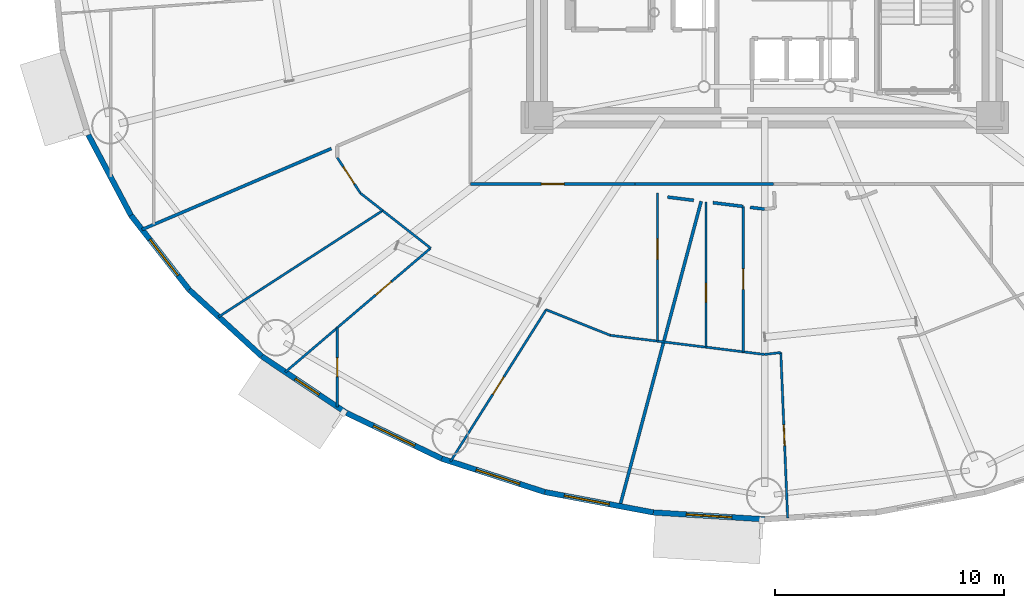
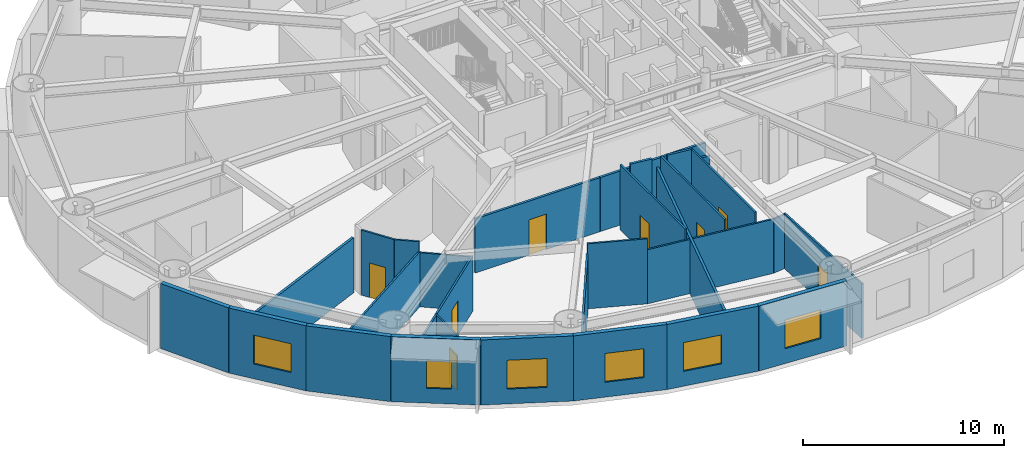
# One storey, part 10 of 24: 29 walls, 9 doors, 6 windows, 15 openings.
"""IFC4 building model written with IfcOpenShell, lengths in metres."""

from ifc_helpers import new_model, si_unit, direction, frame, frame_2d, origin, origin_2d, place, context, subcontext, project, spatial, rectangle, extrude, source, transform, mapped, material, layer, layer_set, type_object, element, fill, save


model = new_model("IFC4")

# Units and contexts
model_context = context("Model", 3, precision=1e-05, world=origin(), true_north=direction((0.0, 1.0)))
body_context = subcontext(model_context, "Body", "Model", "MODEL_VIEW")
ifc_project = project(units=[si_unit("LENGTHUNIT", "METRE"), si_unit("AREAUNIT", "SQUARE_METRE"), si_unit("VOLUMEUNIT", "CUBIC_METRE"), si_unit("PLANEANGLEUNIT", "RADIAN"), si_unit("MASSUNIT", "GRAM", prefix="KILO")], contexts=[model_context])

# Site, building, storey
site_placement = place(None, origin())
site = spatial("IfcSite", under=ifc_project, at=site_placement, CompositionType="ELEMENT")
building_placement = place(site_placement, origin())
building = spatial("IfcBuilding", under=site, at=building_placement, Name="Linh Dai School and Residence Tower", CompositionType="ELEMENT")
storey_placement = place(building_placement, frame((0.0, 0.0, 70.199951171875)))
storey = spatial("IfcBuildingStorey", under=building, at=storey_placement, Name="L16", CompositionType="ELEMENT", Elevation=70.199951171875)

# Wall
ifc_material_1 = material(Name="Precast Concrete B45 (C35/45)", Category="concrete")
ifc_layer_1 = layer(ifc_material_1, 0.239990234375)
ifc_layer_set_1 = layer_set([ifc_layer_1], Name="Precast Concrete B45 (C35/45)")
wall_type_1 = type_object("IfcWallType", Name="EW-TC-240", PredefinedType="SOLIDWALL", material=ifc_layer_set_1)
wall_1_placement = place(storey_placement, frame((8.305419921875, 15.977294921875, 0.0), z_axis=(0.0, 0.0, 1.0), x_axis=(-0.467662443071, 0.883907144072, 0.0)))
element("IfcWall", 1, at=wall_1_placement, inside=storey, type_object=wall_type_1, Name="L16 Terracotta Exterior Wall 23", PredefinedType="SOLIDWALL", context=body_context, shape_type="SweptSolid", body=[
    extrude(rectangle(XDim=3.983642578125, YDim=0.239990234375, at=frame_2d((1.99169921875, 0.0))), origin(), (0.0, 0.0, 1.0), 3.949951171875),
])

# Wall, opening, window
wall_2_placement = place(storey_placement, frame((10.850341796875, 12.725341796875, 0.0), z_axis=(0.0, 0.0, 1.0), x_axis=(-0.616295508253, 0.787514981767, 0.0)))
wall_2 = element("IfcWall", 2, at=wall_2_placement, inside=storey, type_object=wall_type_1, Name="L16 Terracotta Exterior Wall 24", PredefinedType="SOLIDWALL", context=body_context, shape_type="SweptSolid", body=[
    extrude(rectangle(XDim=4.12939453125, YDim=0.239990234375, at=frame_2d((2.064697265625, 0.0))), origin(), (0.0, 0.0, 1.0), 3.949951171875),
])
opening_1_placement = place(wall_2_placement, frame((0.794677734375, 0.0, 0.89990234375)))
opening_1 = element("IfcOpeningElement", 3, at=opening_1_placement, cuts=wall_2, Name="Opening W1", PredefinedType="OPENING", context=body_context, shape_type="SweptSolid", body=[
    extrude(rectangle(XDim=2.0, YDim=1.75, at=origin_2d()), frame((1.0, 0.1298828125, 0.875), z_axis=(0.0, -1.0, 0.0), x_axis=(1.0, 0.0, 0.0)), (0.0, 0.0, 1.0), 0.260009765625),
])
ifc_material_2 = material(Name="Double Low-E Insulated Glazing", Category="glass")
window_type_1 = type_object("IfcWindowType", Name="WN-RES-2000x1750", PartitioningType="DOUBLE_PANEL_VERTICAL", PredefinedType="WINDOW", material=ifc_material_2)
shared_shape_1 = source(origin(), body_context, "Body", "SweptSolid", [
    extrude(rectangle(XDim=2.0, YDim=1.75, at=origin_2d()), frame((1.0, 0.030029296875, 0.875), z_axis=(0.0, -1.0, 0.0), x_axis=(1.0, 0.0, 0.0)), (0.0, 0.0, 1.0), 0.06005859375),
])
window_1_placement = place(opening_1_placement, origin())
window_1 = element("IfcWindow", 4, at=window_1_placement, inside=storey, type_object=window_type_1, Name="L16 Exterior Window 24.1", OverallHeight=1.75, OverallWidth=2.0, PartitioningType="DOUBLE_PANEL_VERTICAL", PredefinedType="WINDOW", context=body_context, shape_type="MappedRepresentation", body=[
    mapped(shared_shape_1, transform((0.0, 0.0, 0.0), x_axis=(1.0, 0.0, 0.0), y_axis=(0.0, 1.0, 0.0), z_axis=(0.0, 0.0, 1.0), scale=1.0)),
])
fill(opening_1, window_1)

# Wall
wall_3_placement = place(storey_placement, frame((14.015380859375, 9.82373046875, 0.0), z_axis=(0.0, 0.0, 1.0), x_axis=(-0.737116376281, 0.67576582321, 0.0)))
element("IfcWall", 5, at=wall_3_placement, inside=storey, type_object=wall_type_1, Name="L16 Terracotta Exterior Wall 25", PredefinedType="SOLIDWALL", context=body_context, shape_type="SweptSolid", body=[
    extrude(rectangle(XDim=4.293701171875, YDim=0.239990234375, at=frame_2d((2.14697265625, 0.0))), origin(), (0.0, 0.0, 1.0), 3.949951171875),
])

# Wall, opening, window
wall_4_placement = place(storey_placement, frame((17.722900390625, 7.34423828125, 0.0), z_axis=(0.0, 0.0, 1.0), x_axis=(-0.831240982525, 0.555912249343, 0.0)))
wall_4 = element("IfcWall", 6, at=wall_4_placement, inside=storey, type_object=wall_type_1, Name="L16 Terracotta Exterior Wall 26", PredefinedType="SOLIDWALL", context=body_context, shape_type="SweptSolid", body=[
    extrude(rectangle(XDim=4.460205078125, YDim=0.239990234375, at=frame_2d((2.22998046875, 0.0))), origin(), (0.0, 0.0, 1.0), 3.949951171875),
])
opening_2_placement = place(wall_4_placement, frame((1.438720703125, 0.0, 0.89990234375)))
opening_2 = element("IfcOpeningElement", 7, at=opening_2_placement, cuts=wall_4, Name="Opening W3", PredefinedType="OPENING", context=body_context, shape_type="SweptSolid", body=[
    extrude(rectangle(XDim=1.25, YDim=1.64990234375, at=origin_2d()), frame((0.625, 0.1298828125, 0.824951171875), z_axis=(0.0, -1.0, 0.0), x_axis=(1.0, 0.0, 0.0)), (0.0, 0.0, 1.0), 0.260009765625),
])
window_type_2 = type_object("IfcWindowType", Name="WN-RES-1250x1650", PartitioningType="SINGLE_PANEL", PredefinedType="WINDOW", material=ifc_material_2)
shared_shape_2 = source(origin(), body_context, "Body", "SweptSolid", [
    extrude(rectangle(XDim=1.25, YDim=1.64990234375, at=origin_2d()), frame((0.625, 0.030029296875, 0.824951171875), z_axis=(0.0, -1.0, 0.0), x_axis=(1.0, 0.0, 0.0)), (0.0, 0.0, 1.0), 0.06005859375),
])
window_2_placement = place(opening_2_placement, origin())
window_2 = element("IfcWindow", 8, at=window_2_placement, inside=storey, type_object=window_type_2, Name="L16 Exterior Window 26.1", OverallHeight=1.64990234375, OverallWidth=1.25, PartitioningType="SINGLE_PANEL", PredefinedType="WINDOW", context=body_context, shape_type="MappedRepresentation", body=[
    mapped(shared_shape_2, transform((0.0, 0.0, 0.0), x_axis=(1.0, 0.0, 0.0), y_axis=(0.0, 1.0, 0.0), z_axis=(0.0, 0.0, 1.0), scale=1.0)),
])
fill(opening_2, window_2)

wall_5_placement = place(storey_placement, frame((21.8818359375, 5.348876953125, 0.0), z_axis=(0.0, 0.0, 1.0), x_axis=(-0.901601503137, 0.432567601123, 0.0)))
wall_5 = element("IfcWall", 9, at=wall_5_placement, inside=storey, type_object=wall_type_1, Name="L16 Terracotta Exterior Wall 27", PredefinedType="SOLIDWALL", context=body_context, shape_type="SweptSolid", body=[
    extrude(rectangle(XDim=4.61279296875, YDim=0.239990234375, at=frame_2d((2.306396484375, 0.0))), origin(), (0.0, 0.0, 1.0), 3.949951171875),
])
opening_3_placement = place(wall_5_placement, frame((1.306396484375, 0.0, 0.89990234375)))
opening_3 = element("IfcOpeningElement", 10, at=opening_3_placement, cuts=wall_5, Name="Opening W1", PredefinedType="OPENING", context=body_context, shape_type="SweptSolid", body=[
    extrude(rectangle(XDim=2.0, YDim=1.75, at=origin_2d()), frame((1.0, 0.1298828125, 0.875), z_axis=(0.0, -1.0, 0.0), x_axis=(1.0, 0.0, 0.0)), (0.0, 0.0, 1.0), 0.260009765625),
])
window_3_placement = place(opening_3_placement, origin())
window_3 = element("IfcWindow", 11, at=window_3_placement, inside=storey, type_object=window_type_1, Name="L16 Exterior Window 27.1", OverallHeight=1.75, OverallWidth=2.0, PartitioningType="DOUBLE_PANEL_VERTICAL", PredefinedType="WINDOW", context=body_context, shape_type="MappedRepresentation", body=[
    mapped(shared_shape_1, transform((0.0, 0.0, 0.0), x_axis=(1.0, 0.0, 0.0), y_axis=(0.0, 1.0, 0.0), z_axis=(0.0, 0.0, 1.0), scale=1.0)),
])
fill(opening_3, window_3)

wall_6_placement = place(storey_placement, frame((26.389404296875, 3.88671875, 0.0), z_axis=(0.0, 0.0, 1.0), x_axis=(-0.951207699013, 0.308551313946, 0.0)))
wall_6 = element("IfcWall", 12, at=wall_6_placement, inside=storey, type_object=wall_type_1, Name="L16 Terracotta Exterior Wall 28", PredefinedType="SOLIDWALL", context=body_context, shape_type="SweptSolid", body=[
    extrude(rectangle(XDim=4.73876953125, YDim=0.239990234375, at=frame_2d((2.369384765625, 0.0))), origin(), (0.0, 0.0, 1.0), 3.949951171875),
])
opening_4_placement = place(wall_6_placement, frame((1.154541015625, 0.0, 0.89990234375)))
opening_4 = element("IfcOpeningElement", 13, at=opening_4_placement, cuts=wall_6, Name="Opening W1", PredefinedType="OPENING", context=body_context, shape_type="SweptSolid", body=[
    extrude(rectangle(XDim=2.0, YDim=1.75, at=origin_2d()), frame((1.0, 0.1298828125, 0.875), z_axis=(0.0, -1.0, 0.0), x_axis=(1.0, 0.0, 0.0)), (0.0, 0.0, 1.0), 0.260009765625),
])
window_4_placement = place(opening_4_placement, origin())
window_4 = element("IfcWindow", 14, at=window_4_placement, inside=storey, type_object=window_type_1, Name="L16 Exterior Window 28.1", OverallHeight=1.75, OverallWidth=2.0, PartitioningType="DOUBLE_PANEL_VERTICAL", PredefinedType="WINDOW", context=body_context, shape_type="MappedRepresentation", body=[
    mapped(shared_shape_1, transform((0.0, 0.0, 0.0), x_axis=(1.0, 0.0, 0.0), y_axis=(0.0, 1.0, 0.0), z_axis=(0.0, 0.0, 1.0), scale=1.0)),
])
fill(opening_4, window_4)

wall_7_placement = place(storey_placement, frame((31.134521484375, 2.994873046875, 0.0), z_axis=(0.0, 0.0, 1.0), x_axis=(-0.982791952378, 0.184715939598, 0.0)))
wall_7 = element("IfcWall", 15, at=wall_7_placement, inside=storey, type_object=wall_type_1, Name="L16 Terracotta Exterior Wall 29", PredefinedType="SOLIDWALL", context=body_context, shape_type="SweptSolid", body=[
    extrude(rectangle(XDim=4.828125, YDim=0.239990234375, at=frame_2d((2.4140625, 0.0))), origin(), (0.0, 0.0, 1.0), 3.949951171875),
])
opening_5_placement = place(wall_7_placement, frame((1.960205078125, 0.0, 0.89990234375)))
opening_5 = element("IfcOpeningElement", 16, at=opening_5_placement, cuts=wall_7, Name="Opening W1", PredefinedType="OPENING", context=body_context, shape_type="SweptSolid", body=[
    extrude(rectangle(XDim=2.0, YDim=1.75, at=origin_2d()), frame((1.0, 0.1298828125, 0.875), z_axis=(0.0, -1.0, 0.0), x_axis=(1.0, 0.0, 0.0)), (0.0, 0.0, 1.0), 0.260009765625),
])
window_5_placement = place(opening_5_placement, origin())
window_5 = element("IfcWindow", 17, at=window_5_placement, inside=storey, type_object=window_type_1, Name="L16 Exterior Window 29.1", OverallHeight=1.75, OverallWidth=2.0, PartitioningType="DOUBLE_PANEL_VERTICAL", PredefinedType="WINDOW", context=body_context, shape_type="MappedRepresentation", body=[
    mapped(shared_shape_1, transform((0.0, 0.0, 0.0), x_axis=(1.0, 0.0, 0.0), y_axis=(0.0, 1.0, 0.0), z_axis=(0.0, 0.0, 1.0), scale=1.0)),
])
fill(opening_5, window_5)

wall_8_placement = place(storey_placement, frame((36.0, 2.695068359375, 0.0), z_axis=(0.0, 0.0, 1.0), x_axis=(-0.998106954071, 0.061502099433, 0.0)))
wall_8 = element("IfcWall", 18, at=wall_8_placement, inside=storey, type_object=wall_type_1, Name="L16 Terracotta Exterior Wall 30", PredefinedType="SOLIDWALL", context=body_context, shape_type="SweptSolid", body=[
    extrude(rectangle(XDim=4.874755859375, YDim=0.239990234375, at=frame_2d((2.4375, 0.0))), origin(), (0.0, 0.0, 1.0), 3.949951171875),
])
opening_6_placement = place(wall_8_placement, frame((1.437255859375, 0.0, 0.89990234375)))
opening_6 = element("IfcOpeningElement", 19, at=opening_6_placement, cuts=wall_8, Name="Opening W1", PredefinedType="OPENING", context=body_context, shape_type="SweptSolid", body=[
    extrude(rectangle(XDim=2.0, YDim=1.75, at=origin_2d()), frame((1.0, 0.1298828125, 0.875), z_axis=(0.0, -1.0, 0.0), x_axis=(1.0, 0.0, 0.0)), (0.0, 0.0, 1.0), 0.260009765625),
])
window_6_placement = place(opening_6_placement, origin())
window_6 = element("IfcWindow", 20, at=window_6_placement, inside=storey, type_object=window_type_1, Name="L16 Exterior Window 30.1", OverallHeight=1.75, OverallWidth=2.0, PartitioningType="DOUBLE_PANEL_VERTICAL", PredefinedType="WINDOW", context=body_context, shape_type="MappedRepresentation", body=[
    mapped(shared_shape_1, transform((0.0, 0.0, 0.0), x_axis=(1.0, 0.0, 0.0), y_axis=(0.0, 1.0, 0.0), z_axis=(0.0, 0.0, 1.0), scale=1.0)),
])
fill(opening_6, window_6)

# Wall
ifc_material_3 = material(Name="Autoclaved Aerated Concrete Blockwork", Category="masonry")
ifc_layer_2 = layer(ifc_material_3, 0.135009765625)
ifc_layer_set_2 = layer_set([ifc_layer_2], Name="Autoclaved Aerated Concrete Blockwork")
wall_type_2 = type_object("IfcWallType", Name="IW-CORR-135-EI90", PredefinedType="PARTITIONING", material=ifc_layer_set_2)
wall_9_placement = place(storey_placement, frame((8.785400390625, 15.355712890625, 0.0), z_axis=(0.0, 0.0, 1.0), x_axis=(0.919377695517, 0.393375968998, 0.0)))
element("IfcWall", 21, at=wall_9_placement, inside=storey, type_object=wall_type_2, Name="L16 Interior Partition Wall 006", PredefinedType="PARTITIONING", context=body_context, shape_type="SweptSolid", body=[
    extrude(rectangle(XDim=9.00341796875, YDim=0.135009765625, at=frame_2d((4.501708984375, 0.0))), origin(), (0.0, 0.0, 1.0), 3.3349609375),
])

# Wall, opening, door
wall_10_placement = place(storey_placement, frame((23.14990234375, 17.35009765625, 0.0), z_axis=(0.0, 0.0, 1.0), x_axis=(1.0, 0.0, 0.0)))
wall_10 = element("IfcWall", 22, at=wall_10_placement, inside=storey, type_object=wall_type_2, Name="L16 Interior Partition Wall 023", PredefinedType="PARTITIONING", context=body_context, shape_type="SweptSolid", body=[
    extrude(rectangle(XDim=7.17138671875, YDim=0.135009765625, at=frame_2d((3.585693359375, 0.0))), origin(), (0.0, 0.0, 1.0), 3.28515625),
])
opening_7_placement = place(wall_10_placement, frame((3.085693359375, 0.0, 0.0)))
opening_7 = element("IfcOpeningElement", 23, at=opening_7_placement, cuts=wall_10, Name="Opening D03", PredefinedType="OPENING", context=body_context, shape_type="SweptSolid", body=[
    extrude(rectangle(XDim=1.0, YDim=2.14990234375, at=origin_2d()), frame((0.5, 0.07763671875, 1.074951171875), z_axis=(0.0, -1.0, 0.0), x_axis=(1.0, 0.0, 0.0)), (0.0, 0.0, 1.0), 0.155029296875),
])
ifc_material_4 = material(Name="Fire-Rated Solid Timber Entrance Door", Category="wood")
door_type_1 = type_object("IfcDoorType", Name="DR-FLAT-1000x2150-FD60S", OperationType="NOTDEFINED", PredefinedType="DOOR", material=ifc_material_4)
shared_shape_3 = source(origin(), body_context, "Body", "SweptSolid", [
    extrude(rectangle(XDim=1.0, YDim=2.14990234375, at=origin_2d()), frame((0.5, 0.02490234375, 1.074951171875), z_axis=(0.0, -1.0, 0.0), x_axis=(1.0, 0.0, 0.0)), (0.0, 0.0, 1.0), 0.050048828125),
])
door_1_placement = place(opening_7_placement, origin())
door_1 = element("IfcDoor", 24, at=door_1_placement, inside=storey, type_object=door_type_1, Name="L16 U1604 Apartment Entrance Door", OperationType="SINGLE_SWING_LEFT", OverallHeight=2.14990234375, OverallWidth=1.0, PredefinedType="DOOR", context=body_context, shape_type="MappedRepresentation", body=[
    mapped(shared_shape_3, transform((0.0, 0.0, 0.0), x_axis=(1.0, 0.0, 0.0), y_axis=(0.0, 1.0, 0.0), z_axis=(0.0, 0.0, 1.0), scale=1.0)),
])
fill(opening_7, door_1)

# Walls
wall_11_placement = place(storey_placement, frame((29.66943359375, 3.26513671875, 0.0), z_axis=(0.0, 0.0, 1.0), x_axis=(0.257716621334, 0.96622054578, 0.0)))
element("IfcWall", 25, at=wall_11_placement, inside=storey, type_object=wall_type_2, Name="L16 Interior Partition Wall 033", PredefinedType="PARTITIONING", context=body_context, shape_type="SweptSolid", body=[
    extrude(rectangle(XDim=13.7958984375, YDim=0.135009765625, at=frame_2d((6.89794921875, 0.0))), origin(), (0.0, 0.0, 1.0), 3.3349609375),
])
wall_12_placement = place(storey_placement, frame((36.388671875, 17.35009765625, 0.0), z_axis=(0.0, 0.0, 1.0), x_axis=(-1.0, 0.0, 0.0)))
element("IfcWall", 26, at=wall_12_placement, inside=storey, type_object=wall_type_2, Name="L16 Interior Partition Wall 123", PredefinedType="PARTITIONING", context=body_context, shape_type="SweptSolid", body=[
    extrude(rectangle(XDim=6.057373046875, YDim=0.135009765625, at=frame_2d((3.02880859375, 0.0))), origin(), (0.0, 0.0, 1.0), 3.28515625),
])
wall_13_placement = place(storey_placement, frame((31.7578125, 16.77685546875, 0.0), z_axis=(0.0, 0.0, 1.0), x_axis=(0.992411483091, -0.122961165536, 0.0)))
element("IfcWall", 27, at=wall_13_placement, inside=storey, type_object=wall_type_2, Name="L16 Interior Partition Wall 142", PredefinedType="PARTITIONING", context=body_context, shape_type="SweptSolid", body=[
    extrude(rectangle(XDim=1.147705078125, YDim=0.135009765625, at=frame_2d((0.57373046875, 0.0))), origin(), (0.0, 0.0, 1.0), 3.949951171875),
])
wall_14_placement = place(storey_placement, frame((35.366455078125, 16.329345703125, 0.0), z_axis=(0.0, 0.0, 1.0), x_axis=(0.992389259093, -0.123140401321, 0.0)))
element("IfcWall", 28, at=wall_14_placement, inside=storey, type_object=wall_type_2, Name="L16 Interior Partition Wall 143", PredefinedType="PARTITIONING", context=body_context, shape_type="SweptSolid", body=[
    extrude(rectangle(XDim=0.638427734375, YDim=0.135009765625, at=frame_2d((0.3193359375, 0.0))), origin(), (0.0, 0.0, 1.0), 3.28515625),
])
wall_15_placement = place(storey_placement, frame((33.741455078125, 16.531005859375, 0.0), z_axis=(0.0, 0.0, 1.0), x_axis=(0.99239647656, -0.123082221749, 0.0)))
element("IfcWall", 29, at=wall_15_placement, inside=storey, type_object=wall_type_2, Name="L16 Interior Partition Wall 149", PredefinedType="PARTITIONING", context=body_context, shape_type="SweptSolid", body=[
    extrude(rectangle(XDim=1.324951171875, YDim=0.135009765625, at=frame_2d((0.66259765625, 0.0))), origin(), (0.0, 0.0, 1.0), 3.949951171875),
])
ifc_material_5 = material(Name="Gypsum Plasterboard Acoustic Stud Partition", Category="masonry")
ifc_layer_3 = layer(ifc_material_5, 0.10009765625)
ifc_layer_set_3 = layer_set([ifc_layer_3], Name="Gypsum Plasterboard Acoustic Stud Partition")
wall_type_3 = type_object("IfcWallType", Name="IW-UNIT-100", PredefinedType="PARTITIONING", material=ifc_layer_set_3)
wall_16_placement = place(storey_placement, frame((12.13330078125, 11.54248046875, 0.0), z_axis=(0.0, 0.0, 1.0), x_axis=(0.839345439493, 0.5435984117, 0.0)))
element("IfcWall", 30, at=wall_16_placement, inside=storey, type_object=wall_type_3, Name="L16 Interior Partition Wall 009", PredefinedType="PARTITIONING", context=body_context, shape_type="SweptSolid", body=[
    extrude(rectangle(XDim=8.543212890625, YDim=0.10009765625, at=frame_2d((4.271484375, 0.0))), origin(), (0.0, 0.0, 1.0), 3.3349609375),
])

# Wall, opening, door
wall_17_placement = place(storey_placement, frame((15.0478515625, 9.12744140625, 0.0), z_axis=(0.0, 0.0, 1.0), x_axis=(0.760804650013, 0.648980958517, 0.0)))
wall_17 = element("IfcWall", 31, at=wall_17_placement, inside=storey, type_object=wall_type_3, Name="L16 Interior Partition Wall 012", PredefinedType="PARTITIONING", context=body_context, shape_type="SweptSolid", body=[
    extrude(rectangle(XDim=8.348876953125, YDim=0.10009765625, at=frame_2d((4.17431640625, 0.0))), origin(), (0.0, 0.0, 1.0), 3.3349609375),
])
opening_8_placement = place(wall_17_placement, frame((5.197265625, 0.0, 0.0)))
opening_8 = element("IfcOpeningElement", 32, at=opening_8_placement, cuts=wall_17, Name="Opening D05", PredefinedType="OPENING", context=body_context, shape_type="SweptSolid", body=[
    extrude(rectangle(XDim=0.89990234375, YDim=2.10009765625, at=origin_2d()), frame((0.449951171875, 0.06005859375, 1.050048828125), z_axis=(0.0, -1.0, 0.0), x_axis=(1.0, 0.0, 0.0)), (0.0, 0.0, 1.0), 0.1201171875),
])
ifc_material_6 = material(Name="Engineered Timber Internal Door", Category="wood")
door_type_2 = type_object("IfcDoorType", Name="DR-INT-900x2100", OperationType="NOTDEFINED", PredefinedType="DOOR", material=ifc_material_6)
shared_shape_4 = source(origin(), body_context, "Body", "SweptSolid", [
    extrude(rectangle(XDim=0.89990234375, YDim=2.10009765625, at=origin_2d()), frame((0.449951171875, 0.02490234375, 1.050048828125), z_axis=(0.0, -1.0, 0.0), x_axis=(1.0, 0.0, 0.0)), (0.0, 0.0, 1.0), 0.050048828125),
])
door_2_placement = place(opening_8_placement, origin())
door_2 = element("IfcDoor", 33, at=door_2_placement, inside=storey, type_object=door_type_2, Name="L16 Apartment U1604 Study Door", OperationType="SINGLE_SWING_LEFT", OverallHeight=2.10009765625, OverallWidth=0.89990234375, PredefinedType="DOOR", context=body_context, shape_type="MappedRepresentation", body=[
    mapped(shared_shape_4, transform((0.0, 0.0, 0.0), x_axis=(1.0, 0.0, 0.0), y_axis=(0.0, 1.0, 0.0), z_axis=(0.0, 0.0, 1.0), scale=1.0)),
])
fill(opening_8, door_2)

wall_18_placement = place(storey_placement, frame((17.3193359375, 7.6083984375, 0.0), z_axis=(0.0, 0.0, 1.0), x_axis=(0.0, 1.0, 0.0)))
wall_18 = element("IfcWall", 34, at=wall_18_placement, inside=storey, type_object=wall_type_3, Name="L16 Interior Partition Wall 014", PredefinedType="PARTITIONING", context=body_context, shape_type="SweptSolid", body=[
    extrude(rectangle(XDim=3.45654296875, YDim=0.10009765625, at=frame_2d((1.728271484375, 0.0))), origin(), (0.0, 0.0, 1.0), 3.3349609375),
])
opening_9_placement = place(wall_18_placement, frame((1.318359375, 0.0, 0.0)))
opening_9 = element("IfcOpeningElement", 35, at=opening_9_placement, cuts=wall_18, Name="Opening D06", PredefinedType="OPENING", context=body_context, shape_type="SweptSolid", body=[
    extrude(rectangle(XDim=0.820068359375, YDim=2.10009765625, at=origin_2d()), frame((0.41015625, 0.06005859375, 1.050048828125), z_axis=(0.0, -1.0, 0.0), x_axis=(1.0, 0.0, 0.0)), (0.0, 0.0, 1.0), 0.1201171875),
])
ifc_material_7 = material(Name="Moisture-Resistant Timber Bathroom Door", Category="wood")
door_type_3 = type_object("IfcDoorType", Name="DR-WET-820x2100", OperationType="NOTDEFINED", PredefinedType="DOOR", material=ifc_material_7)
shared_shape_5 = source(origin(), body_context, "Body", "SweptSolid", [
    extrude(rectangle(XDim=0.820068359375, YDim=2.10009765625, at=origin_2d()), frame((0.41015625, 0.02490234375, 1.050048828125), z_axis=(0.0, -1.0, 0.0), x_axis=(1.0, 0.0, 0.0)), (0.0, 0.0, 1.0), 0.050048828125),
])
door_3_placement = place(opening_9_placement, origin())
door_3 = element("IfcDoor", 36, at=door_3_placement, inside=storey, type_object=door_type_3, Name="L16 Apartment U1604 Bathroom 1 Door", OperationType="SINGLE_SWING_LEFT", OverallHeight=2.10009765625, OverallWidth=0.820068359375, PredefinedType="DOOR", context=body_context, shape_type="MappedRepresentation", body=[
    mapped(shared_shape_5, transform((0.0, 0.0, 0.0), x_axis=(1.0, 0.0, 0.0), y_axis=(0.0, 1.0, 0.0), z_axis=(0.0, 0.0, 1.0), scale=1.0)),
])
fill(opening_9, door_3)

wall_19_placement = place(storey_placement, frame((17.3193359375, 18.503173828125, 0.0), z_axis=(0.0, 0.0, 1.0), x_axis=(0.54537223853, -0.838193964092, 0.0)))
wall_19 = element("IfcWall", 37, at=wall_19_placement, inside=storey, type_object=wall_type_3, Name="L16 Interior Partition Wall 015", PredefinedType="PARTITIONING", context=body_context, shape_type="SweptSolid", body=[
    extrude(rectangle(XDim=1.85498046875, YDim=0.10009765625, at=frame_2d((0.927490234375, 0.0))), origin(), (0.0, 0.0, 1.0), 3.949951171875),
])
opening_10_placement = place(wall_19_placement, frame((0.4775390625, 0.0, 0.0)))
opening_10 = element("IfcOpeningElement", 38, at=opening_10_placement, cuts=wall_19, Name="Opening D05", PredefinedType="OPENING", context=body_context, shape_type="SweptSolid", body=[
    extrude(rectangle(XDim=0.89990234375, YDim=2.10009765625, at=origin_2d()), frame((0.449951171875, 0.06005859375, 1.050048828125), z_axis=(0.0, -1.0, 0.0), x_axis=(1.0, 0.0, 0.0)), (0.0, 0.0, 1.0), 0.1201171875),
])
door_4_placement = place(opening_10_placement, origin())
door_4 = element("IfcDoor", 39, at=door_4_placement, inside=storey, type_object=door_type_2, Name="L16 Apartment U1604 Principal Bedroom 1 Door", OperationType="SINGLE_SWING_RIGHT", OverallHeight=2.10009765625, OverallWidth=0.89990234375, PredefinedType="DOOR", context=body_context, shape_type="MappedRepresentation", body=[
    mapped(shared_shape_4, transform((0.0, 0.0, 0.0), x_axis=(1.0, 0.0, 0.0), y_axis=(0.0, 1.0, 0.0), z_axis=(0.0, 0.0, 1.0), scale=1.0)),
])
fill(opening_10, door_4)

# Walls
wall_20_placement = place(storey_placement, frame((18.3310546875, 16.9482421875, 0.0), z_axis=(0.0, 0.0, 1.0), x_axis=(0.787379901086, -0.61646807814, 0.0)))
element("IfcWall", 40, at=wall_20_placement, inside=storey, type_object=wall_type_3, Name="L16 Interior Partition Wall 017", PredefinedType="PARTITIONING", context=body_context, shape_type="SweptSolid", body=[
    extrude(rectangle(XDim=1.235595703125, YDim=0.10009765625, at=frame_2d((0.61767578125, 0.0))), origin(), (0.0, 0.0, 1.0), 3.949951171875),
])
wall_21_placement = place(storey_placement, frame((19.311767578125, 16.180419921875, 0.0), z_axis=(0.0, 0.0, 1.0), x_axis=(0.787365097885, -0.616486984967, 0.0)))
element("IfcWall", 41, at=wall_21_placement, inside=storey, type_object=wall_type_3, Name="L16 Interior Partition Wall 020", PredefinedType="PARTITIONING", context=body_context, shape_type="SweptSolid", body=[
    extrude(rectangle(XDim=2.65185546875, YDim=0.10009765625, at=frame_2d((1.325927734375, 0.0))), origin(), (0.0, 0.0, 1.0), 3.28515625),
])

# Wall, opening, door
wall_22_placement = place(storey_placement, frame((22.265380859375, 5.21923828125, 0.0), z_axis=(0.0, 0.0, 1.0), x_axis=(0.53341083449, 0.845856300827, 0.0)))
wall_22 = element("IfcWall", 42, at=wall_22_placement, inside=storey, type_object=wall_type_3, Name="L16 Interior Partition Wall 021", PredefinedType="PARTITIONING", context=body_context, shape_type="SweptSolid", body=[
    extrude(rectangle(XDim=7.843505859375, YDim=0.10009765625, at=frame_2d((3.921875, 0.0))), origin(), (0.0, 0.0, 1.0), 3.3349609375),
])
opening_11_placement = place(wall_22_placement, frame((3.4716796875, 0.0, 0.0)))
opening_11 = element("IfcOpeningElement", 43, at=opening_11_placement, cuts=wall_22, Name="Opening D05", PredefinedType="OPENING", context=body_context, shape_type="SweptSolid", body=[
    extrude(rectangle(XDim=0.89990234375, YDim=2.10009765625, at=origin_2d()), frame((0.449951171875, 0.06005859375, 1.050048828125), z_axis=(0.0, -1.0, 0.0), x_axis=(1.0, 0.0, 0.0)), (0.0, 0.0, 1.0), 0.1201171875),
])
door_5_placement = place(opening_11_placement, origin())
door_5 = element("IfcDoor", 44, at=door_5_placement, inside=storey, type_object=door_type_2, Name="L16 Apartment U1604 Principal Bedroom 2 Door", OperationType="SINGLE_SWING_RIGHT", OverallHeight=2.10009765625, OverallWidth=0.89990234375, PredefinedType="DOOR", context=body_context, shape_type="MappedRepresentation", body=[
    mapped(shared_shape_4, transform((0.0, 0.0, 0.0), x_axis=(1.0, 0.0, 0.0), y_axis=(0.0, 1.0, 0.0), z_axis=(0.0, 0.0, 1.0), scale=1.0)),
])
fill(opening_11, door_5)

# Walls
wall_23_placement = place(storey_placement, frame((26.44921875, 11.853759765625, 0.0), z_axis=(0.0, 0.0, 1.0), x_axis=(0.928822359266, -0.370525336417, 0.0)))
element("IfcWall", 45, at=wall_23_placement, inside=storey, type_object=wall_type_3, Name="L16 Interior Partition Wall 028", PredefinedType="PARTITIONING", context=body_context, shape_type="SweptSolid", body=[
    extrude(rectangle(XDim=3.016357421875, YDim=0.10009765625, at=frame_2d((1.50830078125, 0.0))), origin(), (0.0, 0.0, 1.0), 3.949951171875),
])
wall_24_placement = place(storey_placement, frame((29.2509765625, 10.736083984375, 0.0), z_axis=(0.0, 0.0, 1.0), x_axis=(0.992394520877, -0.123097989151, 0.0)))
element("IfcWall", 46, at=wall_24_placement, inside=storey, type_object=wall_type_3, Name="L16 Interior Partition Wall 031", PredefinedType="PARTITIONING", context=body_context, shape_type="SweptSolid", body=[
    extrude(rectangle(XDim=6.80078125, YDim=0.10009765625, at=frame_2d((3.400390625, 0.0))), origin(), (0.0, 0.0, 1.0), 3.28515625),
])

# Wall, opening, door
wall_25_placement = place(storey_placement, frame((31.316162109375, 10.47998046875, 0.0), z_axis=(0.0, 0.0, 1.0), x_axis=(0.0, 1.0, 0.0)))
wall_25 = element("IfcWall", 47, at=wall_25_placement, inside=storey, type_object=wall_type_3, Name="L16 Interior Partition Wall 035", PredefinedType="PARTITIONING", context=body_context, shape_type="SweptSolid", body=[
    extrude(rectangle(XDim=6.47314453125, YDim=0.10009765625, at=frame_2d((3.236572265625, 0.0))), origin(), (0.0, 0.0, 1.0), 3.949951171875),
])
opening_12_placement = place(wall_25_placement, frame((3.586669921875, 0.0, 0.0)))
opening_12 = element("IfcOpeningElement", 48, at=opening_12_placement, cuts=wall_25, Name="Opening D05", PredefinedType="OPENING", context=body_context, shape_type="SweptSolid", body=[
    extrude(rectangle(XDim=0.89990234375, YDim=2.10009765625, at=origin_2d()), frame((0.449951171875, 0.06005859375, 1.050048828125), z_axis=(0.0, -1.0, 0.0), x_axis=(1.0, 0.0, 0.0)), (0.0, 0.0, 1.0), 0.1201171875),
])
door_6_placement = place(opening_12_placement, origin())
door_6 = element("IfcDoor", 49, at=door_6_placement, inside=storey, type_object=door_type_2, Name="L16 Apartment U1604 Kitchen Door", OperationType="SINGLE_SWING_RIGHT", OverallHeight=2.10009765625, OverallWidth=0.89990234375, PredefinedType="DOOR", context=body_context, shape_type="MappedRepresentation", body=[
    mapped(shared_shape_4, transform((0.0, 0.0, 0.0), x_axis=(1.0, 0.0, 0.0), y_axis=(0.0, 1.0, 0.0), z_axis=(0.0, 0.0, 1.0), scale=1.0)),
])
fill(opening_12, door_6)

wall_26_placement = place(storey_placement, frame((33.431396484375, 10.217529296875, 0.0), z_axis=(0.0, 0.0, 1.0), x_axis=(0.0, 1.0, 0.0)))
wall_26 = element("IfcWall", 50, at=wall_26_placement, inside=storey, type_object=wall_type_3, Name="L16 Interior Partition Wall 043", PredefinedType="PARTITIONING", context=body_context, shape_type="SweptSolid", body=[
    extrude(rectangle(XDim=6.351806640625, YDim=0.10009765625, at=frame_2d((3.17578125, 0.0))), origin(), (0.0, 0.0, 1.0), 3.949951171875),
])
opening_13_placement = place(wall_26_placement, frame((1.97216796875, 0.0, 0.0)))
opening_13 = element("IfcOpeningElement", 51, at=opening_13_placement, cuts=wall_26, Name="Opening D06", PredefinedType="OPENING", context=body_context, shape_type="SweptSolid", body=[
    extrude(rectangle(XDim=0.820068359375, YDim=2.10009765625, at=origin_2d()), frame((0.41015625, 0.06005859375, 1.050048828125), z_axis=(0.0, -1.0, 0.0), x_axis=(1.0, 0.0, 0.0)), (0.0, 0.0, 1.0), 0.1201171875),
])
door_7_placement = place(opening_13_placement, origin())
door_7 = element("IfcDoor", 52, at=door_7_placement, inside=storey, type_object=door_type_3, Name="L16 Apartment U1605 Bathroom 1 Door", OperationType="SINGLE_SWING_LEFT", OverallHeight=2.10009765625, OverallWidth=0.820068359375, PredefinedType="DOOR", context=body_context, shape_type="MappedRepresentation", body=[
    mapped(shared_shape_5, transform((0.0, 0.0, 0.0), x_axis=(1.0, 0.0, 0.0), y_axis=(0.0, 1.0, 0.0), z_axis=(0.0, 0.0, 1.0), scale=1.0)),
])
fill(opening_13, door_7)

wall_27_placement = place(storey_placement, frame((35.056396484375, 10.01611328125, 0.0), z_axis=(0.0, 0.0, 1.0), x_axis=(0.0, 1.0, 0.0)))
wall_27 = element("IfcWall", 53, at=wall_27_placement, inside=storey, type_object=wall_type_3, Name="L16 Interior Partition Wall 053", PredefinedType="PARTITIONING", context=body_context, shape_type="SweptSolid", body=[
    extrude(rectangle(XDim=6.351806640625, YDim=0.10009765625, at=frame_2d((3.17578125, 0.0))), origin(), (0.0, 0.0, 1.0), 3.949951171875),
])
opening_14_placement = place(wall_27_placement, frame((2.725830078125, 0.0, 0.0)))
opening_14 = element("IfcOpeningElement", 54, at=opening_14_placement, cuts=wall_27, Name="Opening D05", PredefinedType="OPENING", context=body_context, shape_type="SweptSolid", body=[
    extrude(rectangle(XDim=0.89990234375, YDim=2.10009765625, at=origin_2d()), frame((0.449951171875, 0.06005859375, 1.050048828125), z_axis=(0.0, -1.0, 0.0), x_axis=(1.0, 0.0, 0.0)), (0.0, 0.0, 1.0), 0.1201171875),
])
door_8_placement = place(opening_14_placement, origin())
door_8 = element("IfcDoor", 55, at=door_8_placement, inside=storey, type_object=door_type_2, Name="L16 Apartment U1605 Kitchen Door", OperationType="SINGLE_SWING_RIGHT", OverallHeight=2.10009765625, OverallWidth=0.89990234375, PredefinedType="DOOR", context=body_context, shape_type="MappedRepresentation", body=[
    mapped(shared_shape_4, transform((0.0, 0.0, 0.0), x_axis=(1.0, 0.0, 0.0), y_axis=(0.0, 1.0, 0.0), z_axis=(0.0, 0.0, 1.0), scale=1.0)),
])
fill(opening_14, door_8)

# Wall
wall_28_placement = place(storey_placement, frame((36.0, 9.89892578125, 0.0), z_axis=(0.0, 0.0, 1.0), x_axis=(0.992404586029, 0.123016818477, 0.0)))
element("IfcWall", 56, at=wall_28_placement, inside=storey, type_object=wall_type_3, Name="L16 Interior Partition Wall 060", PredefinedType="PARTITIONING", context=body_context, shape_type="SweptSolid", body=[
    extrude(rectangle(XDim=0.70849609375, YDim=0.10009765625, at=frame_2d((0.354248046875, 0.0))), origin(), (0.0, 0.0, 1.0), 3.28515625),
])

# Wall, opening, door
wall_29_placement = place(storey_placement, frame((36.703125, 9.986083984375, 0.0), z_axis=(0.0, 0.0, 1.0), x_axis=(0.041271500864, -0.999147968629, 0.0)))
wall_29 = element("IfcWall", 57, at=wall_29_placement, inside=storey, type_object=wall_type_3, Name="L16 Interior Partition Wall 063", PredefinedType="PARTITIONING", context=body_context, shape_type="SweptSolid", body=[
    extrude(rectangle(XDim=7.240478515625, YDim=0.10009765625, at=frame_2d((3.6201171875, 0.0))), origin(), (0.0, 0.0, 1.0), 3.3349609375),
])
opening_15_placement = place(wall_29_placement, frame((3.17041015625, 0.0, 0.0)))
opening_15 = element("IfcOpeningElement", 58, at=opening_15_placement, cuts=wall_29, Name="Opening D05", PredefinedType="OPENING", context=body_context, shape_type="SweptSolid", body=[
    extrude(rectangle(XDim=0.89990234375, YDim=2.10009765625, at=origin_2d()), frame((0.449951171875, 0.06005859375, 1.050048828125), z_axis=(0.0, -1.0, 0.0), x_axis=(1.0, 0.0, 0.0)), (0.0, 0.0, 1.0), 0.1201171875),
])
door_9_placement = place(opening_15_placement, origin())
door_9 = element("IfcDoor", 59, at=door_9_placement, inside=storey, type_object=door_type_2, Name="L16 Apartment U1605 Principal Bedroom 1 Door", OperationType="SINGLE_SWING_RIGHT", OverallHeight=2.10009765625, OverallWidth=0.89990234375, PredefinedType="DOOR", context=body_context, shape_type="MappedRepresentation", body=[
    mapped(shared_shape_4, transform((0.0, 0.0, 0.0), x_axis=(1.0, 0.0, 0.0), y_axis=(0.0, 1.0, 0.0), z_axis=(0.0, 0.0, 1.0), scale=1.0)),
])
fill(opening_15, door_9)

save(model, "model.ifc")
